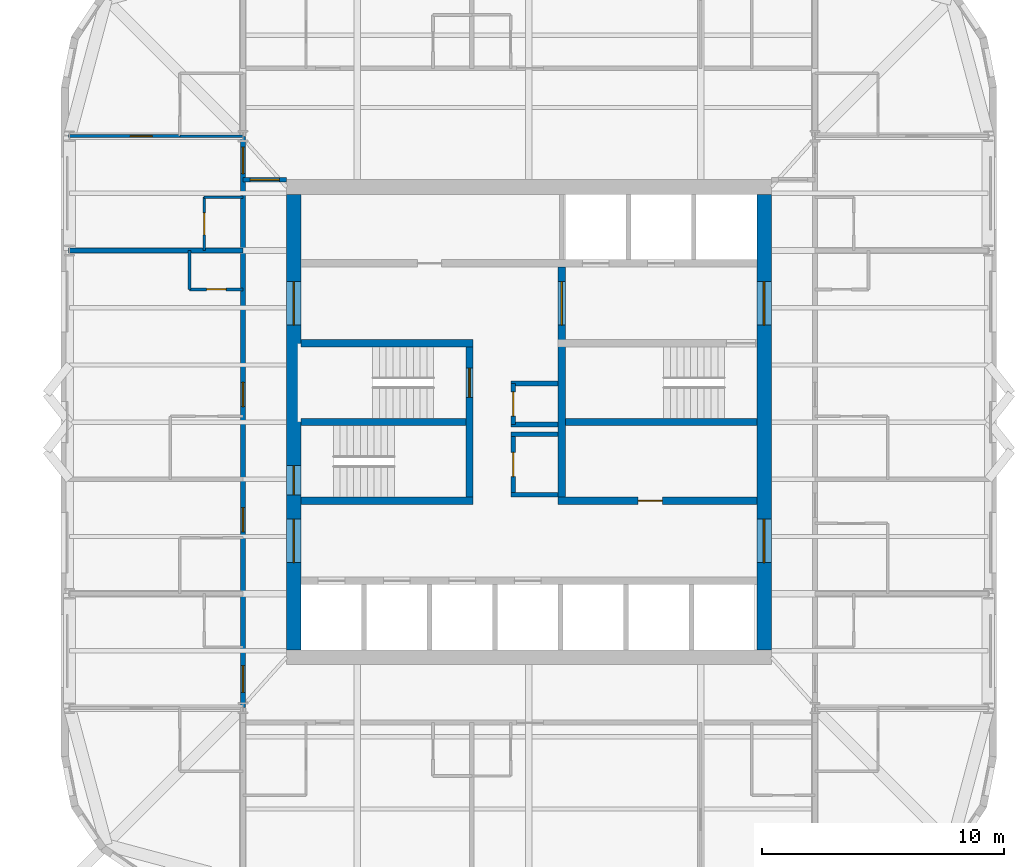
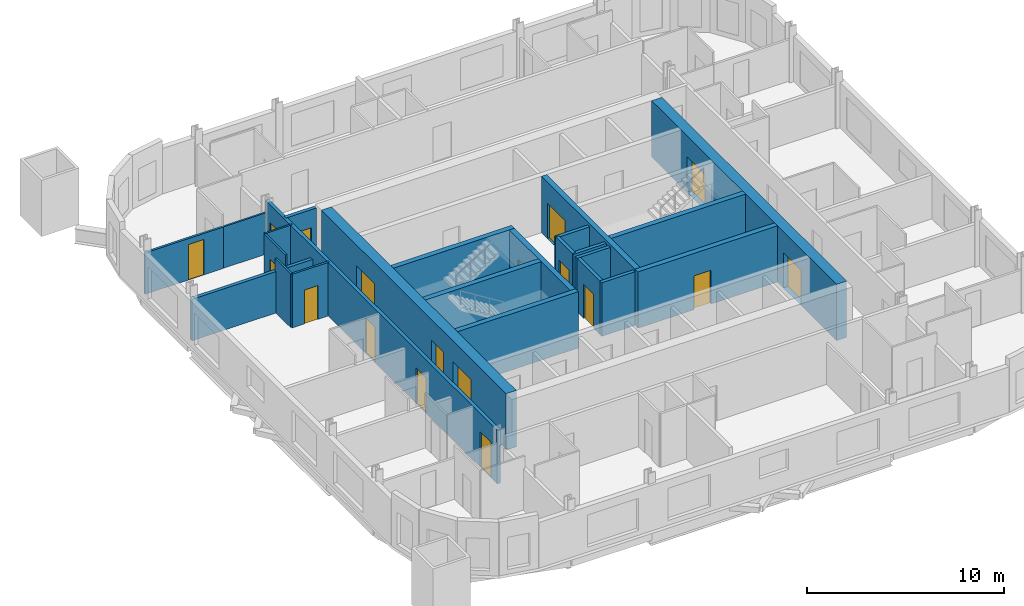
# One storey, part 4 of 8: 24 walls, 18 doors, 18 openings.
"""IFC4 building model written with IfcOpenShell, lengths in metres."""

from ifc_helpers import new_model, si_unit, direction, frame, frame_2d, origin, place, context, subcontext, project, spatial, rectangle, extrude, material, layer, layer_set, type_object, element, fill, save


model = new_model("IFC4")

# Units and contexts
model_context = context("Model", 3, precision=1e-05, world=origin(), true_north=direction((0.0, 1.0)))
body_context = subcontext(model_context, "Body", "Model", "MODEL_VIEW")
ifc_project = project(units=[si_unit("LENGTHUNIT", "METRE"), si_unit("AREAUNIT", "SQUARE_METRE"), si_unit("VOLUMEUNIT", "CUBIC_METRE"), si_unit("PLANEANGLEUNIT", "RADIAN"), si_unit("MASSUNIT", "GRAM", prefix="KILO")], contexts=[model_context])

# Site, building, storey
site_placement = place(None, origin())
site = spatial("IfcSite", under=ifc_project, at=site_placement, CompositionType="ELEMENT")
building_placement = place(site_placement, origin())
building = spatial("IfcBuilding", under=site, at=building_placement, Name="Turquesa Mirador Hotel Tower", CompositionType="ELEMENT")
storey_placement = place(building_placement, frame((0.0, 0.0, 193.300048828125)))
storey = spatial("IfcBuildingStorey", under=building, at=storey_placement, Name="L52", CompositionType="ELEMENT", Elevation=193.300048828125)

# Walls
ifc_material_1 = material(Name="Gypsum board on steel studs", Category="steel")
ifc_layer_1 = layer(ifc_material_1, 0.10009765625)
ifc_layer_set_1 = layer_set([ifc_layer_1], Name="BATHROOM WALL 100")
wall_type_1 = type_object("IfcWallType", Name="BATHROOM WALL 100", PredefinedType="PARTITIONING", material=ifc_layer_set_1)
wall_1_placement = place(storey_placement, frame((40.60009765625, 56.800048828125, 0.0), z_axis=(0.0, 0.0, 1.0), x_axis=(1.0, 0.0, 0.0)))
element("IfcWall", 1, at=wall_1_placement, inside=storey, type_object=wall_type_1, Name="Partition L52 024", PredefinedType="PARTITIONING", context=body_context, shape_type="SweptSolid", body=[
    extrude(rectangle(XDim=2.599853515625, YDim=0.10009765625, at=frame_2d((1.2998046875, 0.0))), origin(), (0.0, 0.0, 1.0), 2.572998046875),
])
wall_2_placement = place(storey_placement, frame((41.60009765625, 54.280029296875, 0.0), z_axis=(0.0, 0.0, 1.0), x_axis=(1.0, 0.0, 0.0)))
element("IfcWall", 2, at=wall_2_placement, inside=storey, type_object=wall_type_1, Name="Partition L52 039", PredefinedType="PARTITIONING", context=body_context, shape_type="SweptSolid", body=[
    extrude(rectangle(XDim=1.599853515625, YDim=0.10009765625, at=frame_2d((0.7998046875, 0.0))), origin(), (0.0, 0.0, 1.0), 3.329833984375),
])

# Wall, opening, door
wall_3_placement = place(storey_placement, frame((41.60009765625, 52.080078125, 0.0), z_axis=(0.0, 0.0, 1.0), x_axis=(0.0, 1.0, 0.0)))
wall_3 = element("IfcWall", 3, at=wall_3_placement, inside=storey, type_object=wall_type_1, Name="Partition L52 047", PredefinedType="PARTITIONING", context=body_context, shape_type="SweptSolid", body=[
    extrude(rectangle(XDim=2.199951171875, YDim=0.10009765625, at=frame_2d((1.10009765625, 0.0))), origin(), (0.0, 0.0, 1.0), 3.329833984375),
])
opening_1_placement = place(wall_3_placement, frame((0.64990234375, 0.0, 0.0)))
opening_1 = element("IfcOpeningElement", 4, at=opening_1_placement, cuts=wall_3, Name="Opening D06", PredefinedType="OPENING", context=body_context, shape_type="SweptSolid", body=[
    extrude(rectangle(XDim=0.89990234375, YDim=2.10009765625, at=frame_2d((0.449951171875, 1.050048828125))), frame((0.0, 0.06005859375, 0.0), z_axis=(0.0, -1.0, 0.0), x_axis=(1.0, 0.0, 0.0)), (0.0, 0.0, 1.0), 0.1201171875),
])
ifc_material_2 = material(Name="Laminate door", Category="wood")
door_type_1 = type_object("IfcDoorType", Name="DOOR 900X2100 WC", OperationType="SINGLE_SWING_LEFT", PredefinedType="DOOR", material=ifc_material_2)
door_1_placement = place(opening_1_placement, origin())
door_1 = element("IfcDoor", 5, at=door_1_placement, inside=storey, type_object=door_type_1, Name="Door 5210W", OperationType="SINGLE_SWING_LEFT", OverallHeight=2.10009765625, OverallWidth=0.89990234375, PredefinedType="DOOR", context=body_context, shape_type="SweptSolid", body=[
    extrude(rectangle(XDim=0.89990234375, YDim=2.10009765625, at=frame_2d((0.449951171875, 1.050048828125))), frame((0.0, 0.02490234375, 0.0), z_axis=(0.0, -1.0, 0.0), x_axis=(1.0, 0.0, 0.0)), (0.0, 0.0, 1.0), 0.050048828125),
])
fill(opening_1, door_1)

# Walls
ifc_material_3 = material(Name="Concrete C50/60", Category="concrete")
ifc_layer_2 = layer(ifc_material_3, 0.300048828125)
ifc_layer_set_2 = layer_set([ifc_layer_2], Name="CORE INNER WALL 300")
wall_type_2 = type_object("IfcWallType", Name="CORE INNER WALL 300", PredefinedType="SHEAR", material=ifc_layer_set_2)
for number, where, z_axis, x_axis, name in (
    (6, (45.60009765625, 48.25, 0.0), (0.0, 0.0, 1.0), (1.0, 0.0, 0.0), "Core wall MN-W"),
    (7, (45.60009765625, 41.75, 0.0), (0.0, 0.0, 1.0), (1.0, 0.0, 0.0), "Core wall MS-W"),
):
    element("IfcWall", number, at=place(storey_placement, frame(where, z_axis=z_axis, x_axis=x_axis)), inside=storey, type_object=wall_type_2, Name=name, PredefinedType="SHEAR", context=body_context, shape_type="SweptSolid", body=[
        extrude(rectangle(XDim=7.099853515625, YDim=0.300048828125, at=frame_2d((3.5498046875, 0.0))), origin(), (0.0, 0.0, 1.0), 3.5),
    ])

# Wall, opening, door
wall_4_placement = place(storey_placement, frame((56.199951171875, 41.75, 0.0), z_axis=(0.0, 0.0, 1.0), x_axis=(1.0, 0.0, 0.0)))
wall_4 = element("IfcWall", 8, at=wall_4_placement, inside=storey, type_object=wall_type_2, Name="Core wall MS-E", PredefinedType="SHEAR", context=body_context, shape_type="SweptSolid", body=[
    extrude(rectangle(XDim=8.199951171875, YDim=0.300048828125, at=frame_2d((4.10009765625, 0.0))), origin(), (0.0, 0.0, 1.0), 3.5),
])
opening_2_placement = place(wall_4_placement, frame((3.300048828125, 0.0, 0.0)))
opening_2 = element("IfcOpeningElement", 9, at=opening_2_placement, cuts=wall_4, Name="Opening D05", PredefinedType="OPENING", context=body_context, shape_type="SweptSolid", body=[
    extrude(rectangle(XDim=1.0, YDim=2.10009765625, at=frame_2d((0.5, 1.050048828125))), frame((0.0, 0.159912109375, 0.0), z_axis=(0.0, -1.0, 0.0), x_axis=(1.0, 0.0, 0.0)), (0.0, 0.0, 1.0), 0.320068359375),
])
ifc_material_4 = material(Name="Steel fire door", Category="steel")
door_type_2 = type_object("IfcDoorType", Name="DOOR 1000X2100 SERVICE", OperationType="SINGLE_SWING_LEFT", PredefinedType="DOOR", material=ifc_material_4)
door_2_placement = place(opening_2_placement, origin())
door_2 = element("IfcDoor", 10, at=door_2_placement, inside=storey, type_object=door_type_2, Name="Housekeeping room door", OperationType="SINGLE_SWING_LEFT", OverallHeight=2.10009765625, OverallWidth=1.0, PredefinedType="DOOR", context=body_context, shape_type="SweptSolid", body=[
    extrude(rectangle(XDim=1.0, YDim=2.10009765625, at=frame_2d((0.5, 1.050048828125))), frame((0.0, 0.02490234375, 0.0), z_axis=(0.0, -1.0, 0.0), x_axis=(1.0, 0.0, 0.0)), (0.0, 0.0, 1.0), 0.050048828125),
])
fill(opening_2, door_2)

wall_5_placement = place(storey_placement, frame((52.550048828125, 41.89990234375, 0.0), z_axis=(0.0, 0.0, 1.0), x_axis=(0.0, 1.0, 0.0)))
wall_5 = element("IfcWall", 11, at=wall_5_placement, inside=storey, type_object=wall_type_2, Name="Core wall PW", PredefinedType="SHEAR", context=body_context, shape_type="SweptSolid", body=[
    extrude(rectangle(XDim=6.2001953125, YDim=0.300048828125, at=frame_2d((3.10009765625, 0.0))), origin(), (0.0, 0.0, 1.0), 3.5),
])
opening_3_placement = place(wall_5_placement, frame((4.125, 0.0, 0.0)))
opening_3 = element("IfcOpeningElement", 12, at=opening_3_placement, cuts=wall_5, Name="Opening D03", PredefinedType="OPENING", context=body_context, shape_type="SweptSolid", body=[
    extrude(rectangle(XDim=1.199951171875, YDim=2.199951171875, at=frame_2d((0.60009765625, 1.10009765625))), frame((0.0, 0.159912109375, 0.0), z_axis=(0.0, -1.0, 0.0), x_axis=(1.0, 0.0, 0.0)), (0.0, 0.0, 1.0), 0.320068359375),
])
ifc_material_5 = material(Name="Steel fire door", Category="steel")
door_type_3 = type_object("IfcDoorType", Name="DOOR 1200X2200 STAIR", OperationType="SINGLE_SWING_LEFT", PredefinedType="DOOR", material=ifc_material_5)
door_3_placement = place(opening_3_placement, origin())
door_3 = element("IfcDoor", 13, at=door_3_placement, inside=storey, type_object=door_type_3, Name="Stair ST1 door", OperationType="SINGLE_SWING_LEFT", OverallHeight=2.199951171875, OverallWidth=1.199951171875, PredefinedType="DOOR", context=body_context, shape_type="SweptSolid", body=[
    extrude(rectangle(XDim=1.199951171875, YDim=2.199951171875, at=frame_2d((0.60009765625, 1.10009765625))), frame((0.0, 0.02490234375, 0.0), z_axis=(0.0, -1.0, 0.0), x_axis=(1.0, 0.0, 0.0)), (0.0, 0.0, 1.0), 0.050048828125),
])
fill(opening_3, door_3)

wall_6_placement = place(storey_placement, frame((56.35009765625, 41.89990234375, 0.0), z_axis=(0.0, 0.0, 1.0), x_axis=(0.0, 1.0, 0.0)))
wall_6 = element("IfcWall", 14, at=wall_6_placement, inside=storey, type_object=wall_type_2, Name="Core wall PE", PredefinedType="SHEAR", context=body_context, shape_type="SweptSolid", body=[
    extrude(rectangle(XDim=9.5, YDim=0.300048828125, at=frame_2d((4.75, 0.0))), origin(), (0.0, 0.0, 1.0), 3.5),
])
opening_4_placement = place(wall_6_placement, frame((7.10009765625, 0.0, 0.0)))
opening_4 = element("IfcOpeningElement", 15, at=opening_4_placement, cuts=wall_6, Name="Opening D04", PredefinedType="OPENING", context=body_context, shape_type="SweptSolid", body=[
    extrude(rectangle(XDim=1.800048828125, YDim=2.199951171875, at=frame_2d((0.89990234375, 1.10009765625))), frame((0.0, 0.159912109375, 0.0), z_axis=(0.0, -1.0, 0.0), x_axis=(1.0, 0.0, 0.0)), (0.0, 0.0, 1.0), 0.320068359375),
])
ifc_material_6 = material(Name="Steel fire door pair", Category="steel")
door_type_4 = type_object("IfcDoorType", Name="DOOR 1800X2200 PAIR", OperationType="DOUBLE_DOOR_SINGLE_SWING", PredefinedType="DOOR", material=ifc_material_6)
door_4_placement = place(opening_4_placement, origin())
door_4 = element("IfcDoor", 16, at=door_4_placement, inside=storey, type_object=door_type_4, Name="Firefighting lobby inner door", OperationType="DOUBLE_DOOR_SINGLE_SWING", OverallHeight=2.199951171875, OverallWidth=1.800048828125, PredefinedType="DOOR", context=body_context, shape_type="SweptSolid", body=[
    extrude(rectangle(XDim=1.800048828125, YDim=2.199951171875, at=frame_2d((0.89990234375, 1.10009765625))), frame((0.0, 0.02490234375, 0.0), z_axis=(0.0, -1.0, 0.0), x_axis=(1.0, 0.0, 0.0)), (0.0, 0.0, 1.0), 0.050048828125),
])
fill(opening_4, door_4)

# Walls
wall_7_placement = place(storey_placement, frame((45.60009765625, 45.0, 0.0), z_axis=(0.0, 0.0, 1.0), x_axis=(1.0, 0.0, 0.0)))
element("IfcWall", 17, at=wall_7_placement, inside=storey, type_object=wall_type_2, Name="Core wall M0-W", PredefinedType="SHEAR", context=body_context, shape_type="SweptSolid", body=[
    extrude(rectangle(XDim=6.7998046875, YDim=0.300048828125, at=frame_2d((3.39990234375, 0.0))), origin(), (0.0, 0.0, 1.0), 3.5),
])
wall_8_placement = place(storey_placement, frame((56.5, 45.0, 0.0), z_axis=(0.0, 0.0, 1.0), x_axis=(1.0, 0.0, 0.0)))
element("IfcWall", 18, at=wall_8_placement, inside=storey, type_object=wall_type_2, Name="Core wall M0-E", PredefinedType="SHEAR", context=body_context, shape_type="SweptSolid", body=[
    extrude(rectangle(XDim=7.89990234375, YDim=0.300048828125, at=frame_2d((3.949951171875, 0.0))), origin(), (0.0, 0.0, 1.0), 3.5),
])

# Wall, openings, doors
ifc_material_7 = material(Name="Concrete C50/60", Category="concrete")
ifc_layer_3 = layer(ifc_material_7, 0.60009765625)
ifc_layer_set_3 = layer_set([ifc_layer_3], Name="CORE WALL 600")
wall_type_3 = type_object("IfcWallType", Name="CORE WALL 600", PredefinedType="SHEAR", material=ifc_layer_set_3)
wall_9_placement = place(storey_placement, frame((64.699951171875, 35.60009765625, 0.0), z_axis=(0.0, 0.0, 1.0), x_axis=(0.0, 1.0, 0.0)))
wall_9 = element("IfcWall", 19, at=wall_9_placement, inside=storey, type_object=wall_type_3, Name="Core wall E", PredefinedType="SHEAR", context=body_context, shape_type="SweptSolid", body=[
    extrude(rectangle(XDim=18.7998046875, YDim=0.60009765625, at=frame_2d((9.39990234375, 0.0))), origin(), (0.0, 0.0, 1.0), 3.5),
])
opening_5_placement = place(wall_9_placement, frame((13.39990234375, 0.0, 0.0)))
opening_5 = element("IfcOpeningElement", 20, at=opening_5_placement, cuts=wall_9, Name="Opening D04", PredefinedType="OPENING", context=body_context, shape_type="SweptSolid", body=[
    extrude(rectangle(XDim=1.800048828125, YDim=2.199951171875, at=frame_2d((0.89990234375, 1.10009765625))), frame((0.0, 0.31005859375, 0.0), z_axis=(0.0, -1.0, 0.0), x_axis=(1.0, 0.0, 0.0)), (0.0, 0.0, 1.0), 0.6201171875),
])
opening_6_placement = place(wall_9_placement, frame((3.60009765625, 0.0, 0.0)))
opening_6 = element("IfcOpeningElement", 21, at=opening_6_placement, cuts=wall_9, Name="Opening D04", PredefinedType="OPENING", context=body_context, shape_type="SweptSolid", body=[
    extrude(rectangle(XDim=1.800048828125, YDim=2.199951171875, at=frame_2d((0.89990234375, 1.10009765625))), frame((0.0, 0.31005859375, 0.0), z_axis=(0.0, -1.0, 0.0), x_axis=(1.0, 0.0, 0.0)), (0.0, 0.0, 1.0), 0.6201171875),
])
door_5_placement = place(opening_5_placement, origin())
door_5 = element("IfcDoor", 22, at=door_5_placement, inside=storey, type_object=door_type_4, Name="Firefighting lobby door", OperationType="DOUBLE_DOOR_SINGLE_SWING", OverallHeight=2.199951171875, OverallWidth=1.800048828125, PredefinedType="DOOR", context=body_context, shape_type="SweptSolid", body=[
    extrude(rectangle(XDim=1.800048828125, YDim=2.199951171875, at=frame_2d((0.89990234375, 1.10009765625))), frame((0.0, 0.02490234375, 0.0), z_axis=(0.0, -1.0, 0.0), x_axis=(1.0, 0.0, 0.0)), (0.0, 0.0, 1.0), 0.050048828125),
])
fill(opening_5, door_5)
door_6_placement = place(opening_6_placement, origin())
door_6 = element("IfcDoor", 23, at=door_6_placement, inside=storey, type_object=door_type_4, Name="South lift lobby door", OperationType="DOUBLE_DOOR_SINGLE_SWING", OverallHeight=2.199951171875, OverallWidth=1.800048828125, PredefinedType="DOOR", context=body_context, shape_type="SweptSolid", body=[
    extrude(rectangle(XDim=1.800048828125, YDim=2.199951171875, at=frame_2d((0.89990234375, 1.10009765625))), frame((0.0, 0.02490234375, 0.0), z_axis=(0.0, -1.0, 0.0), x_axis=(1.0, 0.0, 0.0)), (0.0, 0.0, 1.0), 0.050048828125),
])
fill(opening_6, door_6)

wall_10_placement = place(storey_placement, frame((45.300048828125, 35.60009765625, 0.0), z_axis=(0.0, 0.0, 1.0), x_axis=(0.0, 1.0, 0.0)))
wall_10 = element("IfcWall", 24, at=wall_10_placement, inside=storey, type_object=wall_type_3, Name="Core wall W", PredefinedType="SHEAR", context=body_context, shape_type="SweptSolid", body=[
    extrude(rectangle(XDim=18.7998046875, YDim=0.60009765625, at=frame_2d((9.39990234375, 0.0))), origin(), (0.0, 0.0, 1.0), 3.5),
])
opening_7_placement = place(wall_10_placement, frame((13.39990234375, 0.0, 0.0)))
opening_7 = element("IfcOpeningElement", 25, at=opening_7_placement, cuts=wall_10, Name="Opening D04", PredefinedType="OPENING", context=body_context, shape_type="SweptSolid", body=[
    extrude(rectangle(XDim=1.800048828125, YDim=2.199951171875, at=frame_2d((0.89990234375, 1.10009765625))), frame((0.0, 0.31005859375, 0.0), z_axis=(0.0, -1.0, 0.0), x_axis=(1.0, 0.0, 0.0)), (0.0, 0.0, 1.0), 0.6201171875),
])
opening_8_placement = place(wall_10_placement, frame((3.60009765625, 0.0, 0.0)))
opening_8 = element("IfcOpeningElement", 26, at=opening_8_placement, cuts=wall_10, Name="Opening D04", PredefinedType="OPENING", context=body_context, shape_type="SweptSolid", body=[
    extrude(rectangle(XDim=1.800048828125, YDim=2.199951171875, at=frame_2d((0.89990234375, 1.10009765625))), frame((0.0, 0.31005859375, 0.0), z_axis=(0.0, -1.0, 0.0), x_axis=(1.0, 0.0, 0.0)), (0.0, 0.0, 1.0), 0.6201171875),
])
opening_9_placement = place(wall_10_placement, frame((6.39990234375, 0.0, 0.0)))
opening_9 = element("IfcOpeningElement", 27, at=opening_9_placement, cuts=wall_10, Name="Opening D03", PredefinedType="OPENING", context=body_context, shape_type="SweptSolid", body=[
    extrude(rectangle(XDim=1.199951171875, YDim=2.199951171875, at=frame_2d((0.60009765625, 1.10009765625))), frame((0.0, 0.31005859375, 0.0), z_axis=(0.0, -1.0, 0.0), x_axis=(1.0, 0.0, 0.0)), (0.0, 0.0, 1.0), 0.6201171875),
])
door_7_placement = place(opening_9_placement, origin())
door_7 = element("IfcDoor", 28, at=door_7_placement, inside=storey, type_object=door_type_3, Name="Stair ST2 door", OperationType="SINGLE_SWING_LEFT", OverallHeight=2.199951171875, OverallWidth=1.199951171875, PredefinedType="DOOR", context=body_context, shape_type="SweptSolid", body=[
    extrude(rectangle(XDim=1.199951171875, YDim=2.199951171875, at=frame_2d((0.60009765625, 1.10009765625))), frame((0.0, 0.02490234375, 0.0), z_axis=(0.0, -1.0, 0.0), x_axis=(1.0, 0.0, 0.0)), (0.0, 0.0, 1.0), 0.050048828125),
])
fill(opening_9, door_7)
door_8_placement = place(opening_7_placement, origin())
door_8 = element("IfcDoor", 29, at=door_8_placement, inside=storey, type_object=door_type_4, Name="North lift lobby door", OperationType="DOUBLE_DOOR_SINGLE_SWING", OverallHeight=2.199951171875, OverallWidth=1.800048828125, PredefinedType="DOOR", context=body_context, shape_type="SweptSolid", body=[
    extrude(rectangle(XDim=1.800048828125, YDim=2.199951171875, at=frame_2d((0.89990234375, 1.10009765625))), frame((0.0, 0.02490234375, 0.0), z_axis=(0.0, -1.0, 0.0), x_axis=(1.0, 0.0, 0.0)), (0.0, 0.0, 1.0), 0.050048828125),
])
fill(opening_7, door_8)
door_9_placement = place(opening_8_placement, origin())
door_9 = element("IfcDoor", 30, at=door_9_placement, inside=storey, type_object=door_type_4, Name="South lift lobby door", OperationType="DOUBLE_DOOR_SINGLE_SWING", OverallHeight=2.199951171875, OverallWidth=1.800048828125, PredefinedType="DOOR", context=body_context, shape_type="SweptSolid", body=[
    extrude(rectangle(XDim=1.800048828125, YDim=2.199951171875, at=frame_2d((0.89990234375, 1.10009765625))), frame((0.0, 0.02490234375, 0.0), z_axis=(0.0, -1.0, 0.0), x_axis=(1.0, 0.0, 0.0)), (0.0, 0.0, 1.0), 0.050048828125),
])
fill(opening_8, door_9)

# Wall, opening, door
ifc_material_8 = material(Name="Fire-rated gypsum board on steel studs", Category="steel")
ifc_layer_4 = layer(ifc_material_8, 0.199951171875)
ifc_layer_set_4 = layer_set([ifc_layer_4], Name="CORRIDOR WALL 200")
wall_type_4 = type_object("IfcWallType", Name="CORRIDOR WALL 200", PredefinedType="PARTITIONING", material=ifc_layer_set_4)
wall_11_placement = place(storey_placement, frame((43.199951171875, 55.0, 0.0), z_axis=(0.0, 0.0, 1.0), x_axis=(1.0, 0.0, 0.0)))
wall_11 = element("IfcWall", 31, at=wall_11_placement, inside=storey, type_object=wall_type_4, Name="Partition L52 022", PredefinedType="PARTITIONING", context=body_context, shape_type="SweptSolid", body=[
    extrude(rectangle(XDim=1.800048828125, YDim=0.199951171875, at=frame_2d((0.89990234375, 0.0))), origin(), (0.0, 0.0, 1.0), 3.329833984375),
])
opening_10_placement = place(wall_11_placement, frame((0.300048828125, 0.0, 0.0)))
opening_10 = element("IfcOpeningElement", 32, at=opening_10_placement, cuts=wall_11, Name="Opening D19", PredefinedType="OPENING", context=body_context, shape_type="SweptSolid", body=[
    extrude(rectangle(XDim=1.199951171875, YDim=2.199951171875, at=frame_2d((0.60009765625, 1.10009765625))), frame((0.0, 0.10986328125, 0.0), z_axis=(0.0, -1.0, 0.0), x_axis=(1.0, 0.0, 0.0)), (0.0, 0.0, 1.0), 0.219970703125),
])
ifc_material_9 = material(Name="Steel glazed fire door", Category="steel")
door_type_5 = type_object("IfcDoorType", Name="DOOR 1200X2200 FIRE DOOR GLAZED", OperationType="SINGLE_SWING_LEFT", PredefinedType="DOOR", material=ifc_material_9)
door_10_placement = place(opening_10_placement, origin())
door_10 = element("IfcDoor", 33, at=door_10_placement, inside=storey, type_object=door_type_5, Name="Door L52-C03", OperationType="SINGLE_SWING_LEFT", OverallHeight=2.199951171875, OverallWidth=1.199951171875, PredefinedType="DOOR", context=body_context, shape_type="SweptSolid", body=[
    extrude(rectangle(XDim=1.199951171875, YDim=2.199951171875, at=frame_2d((0.60009765625, 1.10009765625))), frame((0.0, 0.02490234375, 0.0), z_axis=(0.0, -1.0, 0.0), x_axis=(1.0, 0.0, 0.0)), (0.0, 0.0, 1.0), 0.050048828125),
])
fill(opening_10, door_10)

# Wall, openings, doors
wall_12_placement = place(storey_placement, frame((43.199951171875, 33.219970703125, 0.0), z_axis=(0.0, 0.0, 1.0), x_axis=(0.0, 1.0, 0.0)))
wall_12 = element("IfcWall", 34, at=wall_12_placement, inside=storey, type_object=wall_type_4, Name="Partition L52 043", PredefinedType="PARTITIONING", context=body_context, shape_type="SweptSolid", body=[
    extrude(rectangle(XDim=23.56005859375, YDim=0.199951171875, at=frame_2d((11.780029296875, 0.0))), origin(), (0.0, 0.0, 1.0), 3.329833984375),
])
opening_11_placement = place(wall_12_placement, frame((7.25, 0.0, 0.0)))
opening_11 = element("IfcOpeningElement", 35, at=opening_11_placement, cuts=wall_12, Name="Opening D01", PredefinedType="OPENING", context=body_context, shape_type="SweptSolid", body=[
    extrude(rectangle(XDim=1.0, YDim=2.199951171875, at=frame_2d((0.5, 1.10009765625))), frame((0.0, 0.10986328125, 0.0), z_axis=(0.0, -1.0, 0.0), x_axis=(1.0, 0.0, 0.0)), (0.0, 0.0, 1.0), 0.219970703125),
])
opening_12_placement = place(wall_12_placement, frame((12.419921875, 0.0, 0.0)))
opening_12 = element("IfcOpeningElement", 36, at=opening_12_placement, cuts=wall_12, Name="Opening D01", PredefinedType="OPENING", context=body_context, shape_type="SweptSolid", body=[
    extrude(rectangle(XDim=1.0, YDim=2.199951171875, at=frame_2d((0.5, 1.10009765625))), frame((0.0, 0.10986328125, 0.0), z_axis=(0.0, -1.0, 0.0), x_axis=(1.0, 0.0, 0.0)), (0.0, 0.0, 1.0), 0.219970703125),
])
opening_13_placement = place(wall_12_placement, frame((22.030029296875, 0.0, 0.0)))
opening_13 = element("IfcOpeningElement", 37, at=opening_13_placement, cuts=wall_12, Name="Opening D15", PredefinedType="OPENING", context=body_context, shape_type="SweptSolid", body=[
    extrude(rectangle(XDim=1.10009765625, YDim=2.199951171875, at=frame_2d((0.550048828125, 1.10009765625))), frame((0.0, 0.10986328125, 0.0), z_axis=(0.0, -1.0, 0.0), x_axis=(1.0, 0.0, 0.0)), (0.0, 0.0, 1.0), 0.219970703125),
])
opening_14_placement = place(wall_12_placement, frame((0.6298828125, 0.0, 0.0)))
opening_14 = element("IfcOpeningElement", 38, at=opening_14_placement, cuts=wall_12, Name="Opening D15", PredefinedType="OPENING", context=body_context, shape_type="SweptSolid", body=[
    extrude(rectangle(XDim=1.10009765625, YDim=2.199951171875, at=frame_2d((0.550048828125, 1.10009765625))), frame((0.0, 0.10986328125, 0.0), z_axis=(0.0, -1.0, 0.0), x_axis=(1.0, 0.0, 0.0)), (0.0, 0.0, 1.0), 0.219970703125),
])
ifc_material_10 = material(Name="Timber veneered fire door", Category="wood")
door_type_6 = type_object("IfcDoorType", Name="DOOR 1000X2200 GUEST ENTRY", OperationType="SINGLE_SWING_LEFT", PredefinedType="DOOR", material=ifc_material_10)
door_11_placement = place(opening_11_placement, origin())
door_11 = element("IfcDoor", 39, at=door_11_placement, inside=storey, type_object=door_type_6, Name="Door 5207", OperationType="SINGLE_SWING_LEFT", OverallHeight=2.199951171875, OverallWidth=1.0, PredefinedType="DOOR", context=body_context, shape_type="SweptSolid", body=[
    extrude(rectangle(XDim=1.0, YDim=2.199951171875, at=frame_2d((0.5, 1.10009765625))), frame((0.0, 0.02490234375, 0.0), z_axis=(0.0, -1.0, 0.0), x_axis=(1.0, 0.0, 0.0)), (0.0, 0.0, 1.0), 0.050048828125),
])
fill(opening_11, door_11)
door_12_placement = place(opening_12_placement, origin())
door_12 = element("IfcDoor", 40, at=door_12_placement, inside=storey, type_object=door_type_6, Name="Door 5208", OperationType="SINGLE_SWING_LEFT", OverallHeight=2.199951171875, OverallWidth=1.0, PredefinedType="DOOR", context=body_context, shape_type="SweptSolid", body=[
    extrude(rectangle(XDim=1.0, YDim=2.199951171875, at=frame_2d((0.5, 1.10009765625))), frame((0.0, 0.02490234375, 0.0), z_axis=(0.0, -1.0, 0.0), x_axis=(1.0, 0.0, 0.0)), (0.0, 0.0, 1.0), 0.050048828125),
])
fill(opening_12, door_12)
ifc_material_11 = material(Name="Timber veneered fire door", Category="wood")
door_type_7 = type_object("IfcDoorType", Name="DOOR 1100X2200 SUITE ENTRY", OperationType="SINGLE_SWING_LEFT", PredefinedType="DOOR", material=ifc_material_11)
door_13_placement = place(opening_13_placement, origin())
door_13 = element("IfcDoor", 41, at=door_13_placement, inside=storey, type_object=door_type_7, Name="Door 5210", OperationType="SINGLE_SWING_LEFT", OverallHeight=2.199951171875, OverallWidth=1.10009765625, PredefinedType="DOOR", context=body_context, shape_type="SweptSolid", body=[
    extrude(rectangle(XDim=1.10009765625, YDim=2.199951171875, at=frame_2d((0.550048828125, 1.10009765625))), frame((0.0, 0.02490234375, 0.0), z_axis=(0.0, -1.0, 0.0), x_axis=(1.0, 0.0, 0.0)), (0.0, 0.0, 1.0), 0.050048828125),
])
fill(opening_13, door_13)
door_14_placement = place(opening_14_placement, origin())
door_14 = element("IfcDoor", 42, at=door_14_placement, inside=storey, type_object=door_type_7, Name="Door 5211", OperationType="SINGLE_SWING_LEFT", OverallHeight=2.199951171875, OverallWidth=1.10009765625, PredefinedType="DOOR", context=body_context, shape_type="SweptSolid", body=[
    extrude(rectangle(XDim=1.10009765625, YDim=2.199951171875, at=frame_2d((0.550048828125, 1.10009765625))), frame((0.0, 0.02490234375, 0.0), z_axis=(0.0, -1.0, 0.0), x_axis=(1.0, 0.0, 0.0)), (0.0, 0.0, 1.0), 0.050048828125),
])
fill(opening_14, door_14)

# Wall, opening, door
ifc_material_12 = material(Name="Fire-rated gypsum board on steel studs", Category="steel")
ifc_layer_5 = layer(ifc_material_12, 0.199951171875)
ifc_layer_set_5 = layer_set([ifc_layer_5], Name="FIRE PARTITION 200")
wall_type_5 = type_object("IfcWallType", Name="FIRE PARTITION 200", PredefinedType="PARTITIONING", material=ifc_layer_set_5)
wall_13_placement = place(storey_placement, frame((54.35009765625, 42.0, 0.0), z_axis=(0.0, 0.0, 1.0), x_axis=(0.0, 1.0, 0.0)))
wall_13 = element("IfcWall", 43, at=wall_13_placement, inside=storey, type_object=wall_type_5, Name="Partition L52 PT W", PredefinedType="PARTITIONING", context=body_context, shape_type="SweptSolid", body=[
    extrude(rectangle(XDim=2.5, YDim=0.199951171875, at=frame_2d((1.25, 0.0))), origin(), (0.0, 0.0, 1.0), 3.329833984375),
])
opening_15_placement = place(wall_13_placement, frame((0.75, 0.0, 0.0)))
opening_15 = element("IfcOpeningElement", 44, at=opening_15_placement, cuts=wall_13, Name="Opening D05", PredefinedType="OPENING", context=body_context, shape_type="SweptSolid", body=[
    extrude(rectangle(XDim=1.0, YDim=2.10009765625, at=frame_2d((0.5, 1.050048828125))), frame((0.0, 0.10986328125, 0.0), z_axis=(0.0, -1.0, 0.0), x_axis=(1.0, 0.0, 0.0)), (0.0, 0.0, 1.0), 0.219970703125),
])
door_15_placement = place(opening_15_placement, origin())
door_15 = element("IfcDoor", 45, at=door_15_placement, inside=storey, type_object=door_type_2, Name="Floor pantry door", OperationType="SINGLE_SWING_LEFT", OverallHeight=2.10009765625, OverallWidth=1.0, PredefinedType="DOOR", context=body_context, shape_type="SweptSolid", body=[
    extrude(rectangle(XDim=1.0, YDim=2.10009765625, at=frame_2d((0.5, 1.050048828125))), frame((0.0, 0.02490234375, 0.0), z_axis=(0.0, -1.0, 0.0), x_axis=(1.0, 0.0, 0.0)), (0.0, 0.0, 1.0), 0.050048828125),
])
fill(opening_15, door_15)

# Walls
for number, where, z_axis, x_axis, name in (
    (46, (54.25, 42.0, 0.0), (0.0, 0.0, 1.0), (1.0, 0.0, 0.0), "Partition L52 PT S"),
    (47, (54.25, 44.5, 0.0), (0.0, 0.0, 1.0), (1.0, 0.0, 0.0), "Partition L52 PT N"),
):
    element("IfcWall", number, at=place(storey_placement, frame(where, z_axis=z_axis, x_axis=x_axis)), inside=storey, type_object=wall_type_5, Name=name, PredefinedType="PARTITIONING", context=body_context, shape_type="SweptSolid", body=[
        extrude(rectangle(XDim=1.949951171875, YDim=0.199951171875, at=frame_2d((0.97509765625, 0.0))), origin(), (0.0, 0.0, 1.0), 3.329833984375),
    ])

# Wall, opening, door
wall_14_placement = place(storey_placement, frame((54.35009765625, 44.89990234375, 0.0), z_axis=(0.0, 0.0, 1.0), x_axis=(0.0, 1.0, 0.0)))
wall_14 = element("IfcWall", 48, at=wall_14_placement, inside=storey, type_object=wall_type_5, Name="Partition L52 SW W", PredefinedType="PARTITIONING", context=body_context, shape_type="SweptSolid", body=[
    extrude(rectangle(XDim=1.7001953125, YDim=0.199951171875, at=frame_2d((0.85009765625, 0.0))), origin(), (0.0, 0.0, 1.0), 3.329833984375),
])
opening_16_placement = place(wall_14_placement, frame((0.35009765625, 0.0, 0.0)))
opening_16 = element("IfcOpeningElement", 49, at=opening_16_placement, cuts=wall_14, Name="Opening D05", PredefinedType="OPENING", context=body_context, shape_type="SweptSolid", body=[
    extrude(rectangle(XDim=1.0, YDim=2.10009765625, at=frame_2d((0.5, 1.050048828125))), frame((0.0, 0.10986328125, 0.0), z_axis=(0.0, -1.0, 0.0), x_axis=(1.0, 0.0, 0.0)), (0.0, 0.0, 1.0), 0.219970703125),
])
door_16_placement = place(opening_16_placement, origin())
door_16 = element("IfcDoor", 50, at=door_16_placement, inside=storey, type_object=door_type_2, Name="Staff WC door", OperationType="SINGLE_SWING_LEFT", OverallHeight=2.10009765625, OverallWidth=1.0, PredefinedType="DOOR", context=body_context, shape_type="SweptSolid", body=[
    extrude(rectangle(XDim=1.0, YDim=2.10009765625, at=frame_2d((0.5, 1.050048828125))), frame((0.0, 0.02490234375, 0.0), z_axis=(0.0, -1.0, 0.0), x_axis=(1.0, 0.0, 0.0)), (0.0, 0.0, 1.0), 0.050048828125),
])
fill(opening_16, door_16)

# Walls
for number, where, z_axis, x_axis, name in (
    (51, (54.25, 44.89990234375, 0.0), (0.0, 0.0, 1.0), (1.0, 0.0, 0.0), "Partition L52 SW S"),
    (52, (54.25, 46.60009765625, 0.0), (0.0, 0.0, 1.0), (1.0, 0.0, 0.0), "Partition L52 SW N"),
):
    element("IfcWall", number, at=place(storey_placement, frame(where, z_axis=z_axis, x_axis=x_axis)), inside=storey, type_object=wall_type_5, Name=name, PredefinedType="PARTITIONING", context=body_context, shape_type="SweptSolid", body=[
        extrude(rectangle(XDim=1.949951171875, YDim=0.199951171875, at=frame_2d((0.97509765625, 0.0))), origin(), (0.0, 0.0, 1.0), 3.329833984375),
    ])
ifc_material_13 = material(Name="Fire-rated gypsum board on steel studs", Category="steel")
ifc_layer_6 = layer(ifc_material_13, 0.199951171875)
ifc_layer_set_6 = layer_set([ifc_layer_6], Name="PARTY WALL 200")
wall_type_6 = type_object("IfcWallType", Name="PARTY WALL 200", PredefinedType="PARTITIONING", material=ifc_layer_set_6)
wall_15_placement = place(storey_placement, frame((36.0, 52.080078125, 0.0), z_axis=(0.0, 0.0, 1.0), x_axis=(1.0, 0.0, 0.0)))
element("IfcWall", 53, at=wall_15_placement, inside=storey, type_object=wall_type_6, Name="Partition L52 037", PredefinedType="PARTITIONING", context=body_context, shape_type="SweptSolid", body=[
    extrude(rectangle(XDim=7.199951171875, YDim=0.199951171875, at=frame_2d((3.60009765625, 0.0))), origin(), (0.0, 0.0, 1.0), 2.572998046875),
])

# Wall, opening, door
ifc_material_14 = material(Name="Acoustic gypsum board on steel studs", Category="steel")
ifc_layer_7 = layer(ifc_material_14, 0.125)
ifc_layer_set_7 = layer_set([ifc_layer_7], Name="SUITE PARTITION 125")
wall_type_7 = type_object("IfcWallType", Name="SUITE PARTITION 125", PredefinedType="PARTITIONING", material=ifc_layer_set_7)
wall_16_placement = place(storey_placement, frame((36.0, 56.800048828125, 0.0), z_axis=(0.0, 0.0, 1.0), x_axis=(1.0, 0.0, 0.0)))
wall_16 = element("IfcWall", 54, at=wall_16_placement, inside=storey, type_object=wall_type_7, Name="Partition L52 026", PredefinedType="PARTITIONING", context=body_context, shape_type="SweptSolid", body=[
    extrude(rectangle(XDim=4.60009765625, YDim=0.125, at=frame_2d((2.300048828125, 0.0))), origin(), (0.0, 0.0, 1.0), 2.572998046875),
])
opening_17_placement = place(wall_16_placement, frame((2.550048828125, 0.0, 0.0)))
opening_17 = element("IfcOpeningElement", 55, at=opening_17_placement, cuts=wall_16, Name="Opening D17", PredefinedType="OPENING", context=body_context, shape_type="SweptSolid", body=[
    extrude(rectangle(XDim=0.89990234375, YDim=2.199951171875, at=frame_2d((0.449951171875, 1.10009765625))), frame((0.0, 0.072509765625, 0.0), z_axis=(0.0, -1.0, 0.0), x_axis=(1.0, 0.0, 0.0)), (0.0, 0.0, 1.0), 0.14501953125),
])
ifc_material_15 = material(Name="Timber veneered door", Category="wood")
door_type_8 = type_object("IfcDoorType", Name="DOOR 900X2200 SUITE INTERNAL", OperationType="SINGLE_SWING_LEFT", PredefinedType="DOOR", material=ifc_material_15)
door_17_placement = place(opening_17_placement, origin())
door_17 = element("IfcDoor", 56, at=door_17_placement, inside=storey, type_object=door_type_8, Name="Door 5210R", OperationType="SINGLE_SWING_LEFT", OverallHeight=2.199951171875, OverallWidth=0.89990234375, PredefinedType="DOOR", context=body_context, shape_type="SweptSolid", body=[
    extrude(rectangle(XDim=0.89990234375, YDim=2.199951171875, at=frame_2d((0.449951171875, 1.10009765625))), frame((0.0, 0.02490234375, 0.0), z_axis=(0.0, -1.0, 0.0), x_axis=(1.0, 0.0, 0.0)), (0.0, 0.0, 1.0), 0.050048828125),
])
fill(opening_17, door_17)

wall_17_placement = place(storey_placement, frame((41.0, 50.47998046875, 0.0), z_axis=(0.0, 0.0, 1.0), x_axis=(1.0, 0.0, 0.0)))
wall_17 = element("IfcWall", 57, at=wall_17_placement, inside=storey, type_object=wall_type_7, Name="Partition L52 035", PredefinedType="PARTITIONING", context=body_context, shape_type="SweptSolid", body=[
    extrude(rectangle(XDim=2.199951171875, YDim=0.125, at=frame_2d((1.10009765625, 0.0))), origin(), (0.0, 0.0, 1.0), 3.329833984375),
])
opening_18_placement = place(wall_17_placement, frame((0.699951171875, 0.0, 0.0)))
opening_18 = element("IfcOpeningElement", 58, at=opening_18_placement, cuts=wall_17, Name="Opening D20", PredefinedType="OPENING", context=body_context, shape_type="SweptSolid", body=[
    extrude(rectangle(XDim=0.800048828125, YDim=2.10009765625, at=frame_2d((0.39990234375, 1.050048828125))), frame((0.0, 0.072509765625, 0.0), z_axis=(0.0, -1.0, 0.0), x_axis=(1.0, 0.0, 0.0)), (0.0, 0.0, 1.0), 0.14501953125),
])
ifc_material_16 = material(Name="Timber veneered sliding door", Category="wood")
door_type_9 = type_object("IfcDoorType", Name="DOOR 800X2100 WARDROBE", OperationType="SLIDING_TO_LEFT", PredefinedType="DOOR", material=ifc_material_16)
door_18_placement = place(opening_18_placement, origin())
door_18 = element("IfcDoor", 59, at=door_18_placement, inside=storey, type_object=door_type_9, Name="Door 5208W", OperationType="SLIDING_TO_LEFT", OverallHeight=2.10009765625, OverallWidth=0.800048828125, PredefinedType="DOOR", context=body_context, shape_type="SweptSolid", body=[
    extrude(rectangle(XDim=0.800048828125, YDim=2.10009765625, at=frame_2d((0.39990234375, 1.050048828125))), frame((0.0, 0.02490234375, 0.0), z_axis=(0.0, -1.0, 0.0), x_axis=(1.0, 0.0, 0.0)), (0.0, 0.0, 1.0), 0.050048828125),
])
fill(opening_18, door_18)

# Wall
wall_18_placement = place(storey_placement, frame((41.0, 50.47998046875, 0.0), z_axis=(0.0, 0.0, 1.0), x_axis=(0.0, 1.0, 0.0)))
element("IfcWall", 60, at=wall_18_placement, inside=storey, type_object=wall_type_7, Name="Partition L52 048", PredefinedType="PARTITIONING", context=body_context, shape_type="SweptSolid", body=[
    extrude(rectangle(XDim=1.60009765625, YDim=0.125, at=frame_2d((0.800048828125, 0.0))), origin(), (0.0, 0.0, 1.0), 3.329833984375),
])

save(model, "model.ifc")
